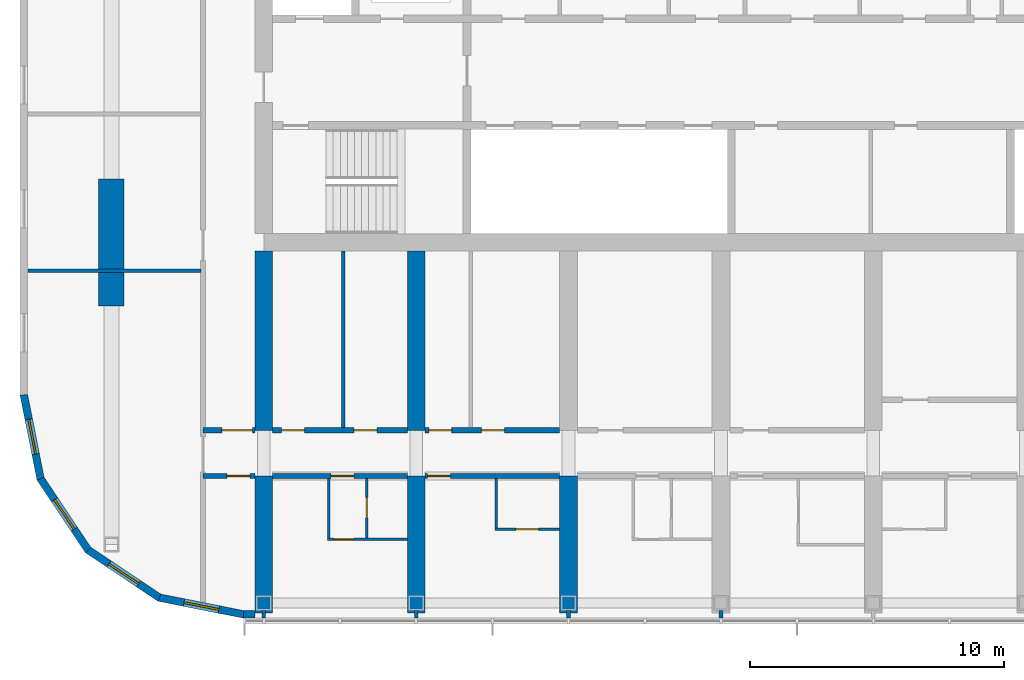
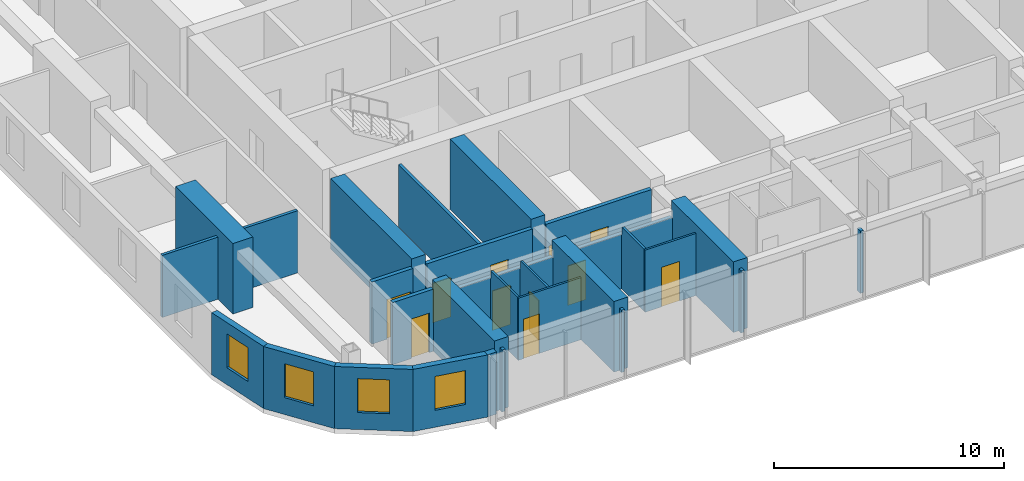
# One storey, part 10 of 23: 28 walls, 11 doors, 4 windows, 15 openings.
"""IFC4 building model written with IfcOpenShell, lengths in metres."""

import ifcopenshell
import ifcopenshell.guid

model = None  # the IFC model being written
_history = None  # IfcOwnerHistory: only IFC2X3 demands one
_inside = {}  # id of a spatial element -> (the spatial element, [elements in it])
_under = {}  # id of a project, library or spatial element -> (it, [spatial elements below it])
_declared = {}  # id of a project -> (the project, [libraries it declares])
_typed = {}  # id of a type object -> (the type object, [elements of that type])
_made_of = {}  # id of a material, layer set ... -> (it, [elements and type objects made of it])


def new_model(schema):
    """Start an empty IFC model of exactly this schema.

    Asked for "IFC4X3", IfcOpenShell would pick the latest addendum, in which some entities
    have other attributes; the version numbers below select the first issue.
    IFC2X3 requires an IfcOwnerHistory on every rooted entity: one is made here for all.
    """
    global model, _history
    if schema == "IFC4X3":
        model = ifcopenshell.file(schema_version=(4, 3, 0, 0))
    else:
        model = ifcopenshell.file(schema=schema)
    _inside.clear()
    _under.clear()
    _declared.clear()
    _typed.clear()
    _made_of.clear()
    _history = None
    if model.schema == "IFC2X3":
        org = make("IfcOrganization", Name="unknown")
        user = make(
            "IfcPersonAndOrganization",
            ThePerson=make("IfcPerson", FamilyName="unknown"),
            TheOrganization=org,
        )
        app = make(
            "IfcApplication",
            ApplicationDeveloper=org,
            Version="unknown",
            ApplicationFullName="unknown",
            ApplicationIdentifier="unknown",
        )
        _history = make(
            "IfcOwnerHistory",
            OwningUser=user,
            OwningApplication=app,
            ChangeAction="ADDED",
            CreationDate=0,
        )
    return model


def make(cls, **values):
    """One entity of the class cls with the attributes given. An attribute that is None is left unset."""
    return model.create_entity(
        cls, **{name: value for name, value in values.items() if value is not None}
    )


def rooted(cls, **values):
    """An entity with a GlobalId (a new one), such as an element, a storey or a relation."""
    return make(cls, GlobalId=ifcopenshell.guid.new(), OwnerHistory=_history, **values)


def si_unit(unit_type, name, prefix=None):
    """IfcSIUnit, for example si_unit("LENGTHUNIT", "METRE", prefix="MILLI")."""
    return make("IfcSIUnit", UnitType=unit_type, Prefix=prefix, Name=name)


def assignment(units):
    """IfcUnitAssignment: the units of a project."""
    return None if units is None else make("IfcUnitAssignment", Units=units)


def point(xyz):
    """IfcCartesianPoint."""
    return None if xyz is None else make("IfcCartesianPoint", Coordinates=xyz)


def direction(xyz):
    """IfcDirection."""
    return None if xyz is None else make("IfcDirection", DirectionRatios=xyz)


def frame(location, z_axis=None, x_axis=None):
    """IfcAxis2Placement3D, a coordinate frame: its origin and axes. An axis left out is left unset."""
    return make(
        "IfcAxis2Placement3D",
        Location=point(location),
        Axis=direction(z_axis),
        RefDirection=direction(x_axis),
    )


def frame_2d(location, x_axis=None):
    """IfcAxis2Placement2D, a coordinate frame in the plane: its origin and x axis."""
    return make(
        "IfcAxis2Placement2D", Location=point(location), RefDirection=direction(x_axis)
    )


def origin():
    """The frame at (0, 0, 0) with its axes left unset."""
    return frame((0.0, 0.0, 0.0))


def place(relative_to, where):
    """IfcLocalPlacement: puts the frame where relative to a parent placement (None: the world)."""
    return make(
        "IfcLocalPlacement", PlacementRelTo=relative_to, RelativePlacement=where
    )


def context(
    kind, dimensions, precision=None, world=None, true_north=None, identifier=None
):
    """IfcGeometricRepresentationContext, for example the 3D "Model" context."""
    return make(
        "IfcGeometricRepresentationContext",
        ContextIdentifier=identifier,
        ContextType=kind,
        CoordinateSpaceDimension=dimensions,
        Precision=precision,
        WorldCoordinateSystem=world,
        TrueNorth=true_north,
    )


def subcontext(parent, identifier, kind, view, scale=None):
    """IfcGeometricRepresentationSubContext, for example "Body" below "Model"."""
    return make(
        "IfcGeometricRepresentationSubContext",
        ContextIdentifier=identifier,
        ContextType=kind,
        ParentContext=parent,
        TargetScale=scale,
        TargetView=view,
    )


def project(units=None, contexts=None):
    """IfcProject with its units and contexts."""
    return rooted(
        "IfcProject",
        Name="project",
        RepresentationContexts=contexts,
        UnitsInContext=assignment(units),
    )


def spatial(cls, under=None, at=None, **own):
    """A site, building, storey or space (cls), placed at a placement, below another one or the project."""
    s = rooted(cls, ObjectPlacement=at, **own)
    if under is not None:
        _under.setdefault(under.id(), (under, []))[1].append(s)
    return s


def polyline(points):
    """IfcPolyline through the points."""
    return make("IfcPolyline", Points=[point(p) for p in points])


def profile(cls, at=None, kind="AREA", **sizes):
    """A parametric profile (cls). Its sizes go by their IFC names, for example OverallWidth=200.0."""
    return make(cls, ProfileType=kind, Position=at, **sizes)


def rectangle(**sizes):
    """IfcRectangleProfileDef."""
    return profile("IfcRectangleProfileDef", **sizes)


def outline(outer, holes=None, kind="AREA"):
    """IfcArbitraryClosedProfileDef: a profile drawn as a closed curve; with holes, ...WithVoids."""
    if holes is None:
        return make("IfcArbitraryClosedProfileDef", ProfileType=kind, OuterCurve=outer)
    return make(
        "IfcArbitraryProfileDefWithVoids",
        ProfileType=kind,
        OuterCurve=outer,
        InnerCurves=holes,
    )


def extrude(swept, where, along, depth):
    """IfcExtrudedAreaSolid: the profile swept, set in the frame where, extruded along a direction by depth."""
    return make(
        "IfcExtrudedAreaSolid",
        SweptArea=swept,
        Position=where,
        ExtrudedDirection=direction(along),
        Depth=depth,
    )


def shape(context_of_items, identifier, shape_type, items):
    """IfcShapeRepresentation: the items that make up one representation, for example the "Body"."""
    return make(
        "IfcShapeRepresentation",
        ContextOfItems=context_of_items,
        RepresentationIdentifier=identifier,
        RepresentationType=shape_type,
        Items=items,
    )


def material(Name=None, Category=None):
    """IfcMaterial."""
    return make("IfcMaterial", Name=Name, Category=Category)


def layer(
    of_material, thickness, ventilated=None, Name=None, Category=None, Priority=None
):
    """IfcMaterialLayer: one layer of a wall or slab, of a material (None: an air gap)."""
    return make(
        "IfcMaterialLayer",
        Material=of_material,
        LayerThickness=thickness,
        IsVentilated=ventilated,
        Name=Name,
        Category=Category,
        Priority=Priority,
    )


def layer_set(layers, Name=None):
    """IfcMaterialLayerSet."""
    return make("IfcMaterialLayerSet", MaterialLayers=layers, LayerSetName=Name)


def made_of(thing, what):
    """Note that an element or type object is made of a material, layer set ...; save() writes the relation."""
    if what is not None:
        _made_of.setdefault(what.id(), (what, []))[1].append(thing)
    return thing


def type_object(cls, material=None, **own):
    """A type object (cls), such as IfcWallType, which elements share."""
    return made_of(rooted(cls, **own), material)


def element(
    cls,
    number,
    at=None,
    inside=None,
    cuts=None,
    type_object=None,
    material=None,
    context=None,
    identifier="Body",
    shape_type=None,
    held_by="IfcProductDefinitionShape",
    body=None,
    shapes=None,
    **own,
):
    """One element of the class cls, such as IfcWall. Its Tag is "e" and its number.

    at: its placement. inside: the storey or other place that contains it. cuts: it is an
    opening in that element (IfcRelVoidsElement). A single representation is given by context,
    identifier, shape_type and body (its items); several are given by shapes. held_by: the class
    of the entity that holds the representations. save() writes the other relations.
    """
    e = rooted(cls, Tag="e%d" % number, ObjectPlacement=at, **own)
    if body is not None:
        shapes = [shape(context, identifier, shape_type, body)]
    if shapes is not None:
        e.Representation = make(held_by, Representations=shapes)
    if inside is not None:
        _inside.setdefault(inside.id(), (inside, []))[1].append(e)
    if cuts is not None:
        rooted(
            "IfcRelVoidsElement", RelatingBuildingElement=cuts, RelatedOpeningElement=e
        )
    if type_object is not None:
        _typed.setdefault(type_object.id(), (type_object, []))[1].append(e)
    return made_of(e, material)


def fill(opening, filler):
    """IfcRelFillsElement: the door or window that sits in an opening."""
    return rooted(
        "IfcRelFillsElement",
        RelatingOpeningElement=opening,
        RelatedBuildingElement=filler,
    )


def aggregate(whole, parts):
    """IfcRelAggregates: a whole, such as a stair, and the parts it consists of."""
    return rooted("IfcRelAggregates", RelatingObject=whole, RelatedObjects=parts)


def save(model, path):
    """Write the relations noted so far, then the file.

    IfcRelAggregates (storeys below a building ...), IfcRelContainedInSpatialStructure (elements
    in a storey), IfcRelDefinesByType, IfcRelAssociatesMaterial and IfcRelDeclares: one each for
    every whole, place, type object, material and project.
    """
    for whole, parts in _under.values():
        aggregate(whole, parts)
    for where, things in _inside.values():
        rooted(
            "IfcRelContainedInSpatialStructure",
            RelatedElements=things,
            RelatingStructure=where,
        )
    for kind, things in _typed.values():
        rooted("IfcRelDefinesByType", RelatedObjects=things, RelatingType=kind)
    for what, things in _made_of.values():
        rooted("IfcRelAssociatesMaterial", RelatedObjects=things, RelatingMaterial=what)
    for by, libraries in _declared.values():
        rooted("IfcRelDeclares", RelatingContext=by, RelatedDefinitions=libraries)
    model.write(path)


model = new_model("IFC4")

# Units and contexts
model_context = context("Model", 3, precision=1e-05, world=origin(), true_north=direction((0.0, 1.0)))
body_context = subcontext(model_context, "Body", "Model", "MODEL_VIEW")
ifc_project = project(units=[si_unit("LENGTHUNIT", "METRE"), si_unit("AREAUNIT", "SQUARE_METRE"), si_unit("VOLUMEUNIT", "CUBIC_METRE"), si_unit("PLANEANGLEUNIT", "RADIAN"), si_unit("MASSUNIT", "GRAM", prefix="KILO")], contexts=[model_context])

# Site, building, storey
site_placement = place(None, origin())
site = spatial("IfcSite", under=ifc_project, at=site_placement, CompositionType="ELEMENT")
building_placement = place(site_placement, origin())
building = spatial("IfcBuilding", under=site, at=building_placement, Name="Orbita Commons", CompositionType="ELEMENT")
storey_placement = place(building_placement, frame((0.0, 0.0, 227.800048828125)))
storey = spatial("IfcBuildingStorey", under=building, at=storey_placement, Name="L56", CompositionType="ELEMENT", Elevation=227.800048828125)

# Wall, opening, door
ifc_material_1 = material(Name="Concrete blockwork", Category="masonry")
ifc_layer_1 = layer(ifc_material_1, 0.199951171875)
ifc_layer_set_1 = layer_set([ifc_layer_1], Name="Concrete blockwork")
wall_type_1 = type_object("IfcWallType", Name="Corridor wall 200 blockwork", PredefinedType="SOLIDWALL", material=ifc_layer_set_1)
wall_1_placement = place(storey_placement, frame((15.60009765625, 16.60009765625, 0.0), z_axis=(0.0, 0.0, 1.0), x_axis=(1.0, 0.0, 0.0)))
wall_1 = element("IfcWall", 1, at=wall_1_placement, inside=storey, type_object=wall_type_1, Name="Corridor wall 200 blockwork L56", PredefinedType="SOLIDWALL", context=body_context, shape_type="SweptSolid", body=[
    extrude(rectangle(XDim=2.0498046875, YDim=0.199951171875, at=frame_2d((1.02490234375, 0.0))), origin(), (0.0, 0.0, 1.0), 3.300048828125),
])
opening_1_placement = place(wall_1_placement, frame((0.949951171875, 0.0, 0.0)))
opening_1 = element("IfcOpeningElement", 2, at=opening_1_placement, cuts=wall_1, Name="Opening D05", PredefinedType="OPENING", context=body_context, shape_type="SweptSolid", body=[
    extrude(rectangle(XDim=0.89990234375, YDim=2.10009765625, at=frame_2d((0.449951171875, 1.050048828125))), frame((0.0, 0.10986328125, 0.0), z_axis=(0.0, -1.0, 0.0), x_axis=(1.0, 0.0, 0.0)), (0.0, 0.0, 1.0), 0.219970703125),
])
ifc_material_2 = material(Name="Steel-faced fire door leaf", Category="steel")
door_type_1 = type_object("IfcDoorType", Name="Service door 20 min 900x2100", OperationType="SINGLE_SWING_LEFT", PredefinedType="DOOR", material=ifc_material_2)
door_1_placement = place(opening_1_placement, origin())
door_1 = element("IfcDoor", 3, at=door_1_placement, inside=storey, type_object=door_type_1, Name="Linen store L56-KWS door", OperationType="SINGLE_SWING_LEFT", OverallHeight=2.10009765625, OverallWidth=0.89990234375, PredefinedType="DOOR", context=body_context, shape_type="SweptSolid", body=[
    extrude(rectangle(XDim=0.89990234375, YDim=2.10009765625, at=frame_2d((0.449951171875, 1.050048828125))), frame((0.0, 0.02490234375, 0.0), z_axis=(0.0, -1.0, 0.0), x_axis=(1.0, 0.0, 0.0)), (0.0, 0.0, 1.0), 0.050048828125),
])
fill(opening_1, door_1)

wall_2_placement = place(storey_placement, frame((18.35009765625, 16.60009765625, 0.0), z_axis=(0.0, 0.0, 1.0), x_axis=(1.0, 0.0, 0.0)))
wall_2 = element("IfcWall", 4, at=wall_2_placement, inside=storey, type_object=wall_type_1, Name="Corridor wall 200 blockwork L56", PredefinedType="SOLIDWALL", context=body_context, shape_type="SweptSolid", body=[
    extrude(outline(polyline([(0.0, 0.0), (5.2998046875, 0.0), (5.300048828125, 2.89990234375), (0.0, 2.89990234375), (0.0, 0.0)])), frame((0.0, 0.10009765625, 0.0), z_axis=(0.0, -1.0, 0.0), x_axis=(1.0, 0.0, 0.0)), (0.0, 0.0, 1.0), 0.199951171875),
])
opening_2_placement = place(wall_2_placement, frame((2.300048828125, 0.0, 0.0)))
opening_2 = element("IfcOpeningElement", 5, at=opening_2_placement, cuts=wall_2, Name="Opening D11", PredefinedType="OPENING", context=body_context, shape_type="SweptSolid", body=[
    extrude(rectangle(XDim=0.89990234375, YDim=2.10009765625, at=frame_2d((0.449951171875, 1.050048828125))), frame((0.0, 0.10986328125, 0.0), z_axis=(0.0, -1.0, 0.0), x_axis=(1.0, 0.0, 0.0)), (0.0, 0.0, 1.0), 0.219970703125),
])
ifc_material_3 = material(Name="Steel-faced fire door leaf", Category="steel")
door_type_2 = type_object("IfcDoorType", Name="Corridor door 20 min 900x2100", OperationType="SINGLE_SWING_LEFT", PredefinedType="DOOR", material=ifc_material_3)
door_2_placement = place(opening_2_placement, origin())
door_2 = element("IfcDoor", 6, at=door_2_placement, inside=storey, type_object=door_type_2, Name="Studio flat L56-S00 entrance door", OperationType="SINGLE_SWING_LEFT", OverallHeight=2.10009765625, OverallWidth=0.89990234375, PredefinedType="DOOR", context=body_context, shape_type="SweptSolid", body=[
    extrude(rectangle(XDim=0.89990234375, YDim=2.10009765625, at=frame_2d((0.449951171875, 1.050048828125))), frame((0.0, 0.02490234375, 0.0), z_axis=(0.0, -1.0, 0.0), x_axis=(1.0, 0.0, 0.0)), (0.0, 0.0, 1.0), 0.050048828125),
])
fill(opening_2, door_2)

wall_3_placement = place(storey_placement, frame((24.35009765625, 16.60009765625, 0.0), z_axis=(0.0, 0.0, 1.0), x_axis=(1.0, 0.0, 0.0)))
wall_3 = element("IfcWall", 7, at=wall_3_placement, inside=storey, type_object=wall_type_1, Name="Corridor wall 200 blockwork L56", PredefinedType="SOLIDWALL", context=body_context, shape_type="SweptSolid", body=[
    extrude(outline(polyline([(0.0, 0.0), (5.2998046875, 0.0), (5.300048828125, 2.89990234375), (0.0, 2.89990234375), (0.0, 0.0)])), frame((0.0, 0.10009765625, 0.0), z_axis=(0.0, -1.0, 0.0), x_axis=(1.0, 0.0, 0.0)), (0.0, 0.0, 1.0), 0.199951171875),
])
opening_3_placement = place(wall_3_placement, frame((0.10009765625, 0.0, 0.0)))
opening_3 = element("IfcOpeningElement", 8, at=opening_3_placement, cuts=wall_3, Name="Opening D11", PredefinedType="OPENING", context=body_context, shape_type="SweptSolid", body=[
    extrude(rectangle(XDim=0.89990234375, YDim=2.10009765625, at=frame_2d((0.449951171875, 1.050048828125))), frame((0.0, 0.10986328125, 0.0), z_axis=(0.0, -1.0, 0.0), x_axis=(1.0, 0.0, 0.0)), (0.0, 0.0, 1.0), 0.219970703125),
])
door_3_placement = place(opening_3_placement, origin())
door_3 = element("IfcDoor", 9, at=door_3_placement, inside=storey, type_object=door_type_2, Name="Studio apartment with kitchenette L56-S02 door", OperationType="SINGLE_SWING_LEFT", OverallHeight=2.10009765625, OverallWidth=0.89990234375, PredefinedType="DOOR", context=body_context, shape_type="SweptSolid", body=[
    extrude(rectangle(XDim=0.89990234375, YDim=2.10009765625, at=frame_2d((0.449951171875, 1.050048828125))), frame((0.0, 0.02490234375, 0.0), z_axis=(0.0, -1.0, 0.0), x_axis=(1.0, 0.0, 0.0)), (0.0, 0.0, 1.0), 0.050048828125),
])
fill(opening_3, door_3)

ifc_material_4 = material(Name="Hollow concrete block 200", Category="concrete")
ifc_layer_2 = layer(ifc_material_4, 0.199951171875)
ifc_layer_set_2 = layer_set([ifc_layer_2], Name="Hollow concrete block 200")
wall_type_2 = type_object("IfcWallType", Name="Corridor wall 200 hollow concrete block", PredefinedType="SOLIDWALL", material=ifc_layer_set_2)
wall_4_placement = place(storey_placement, frame((15.60009765625, 18.39990234375, 0.0), z_axis=(0.0, 0.0, 1.0), x_axis=(1.0, 0.0, 0.0)))
wall_4 = element("IfcWall", 10, at=wall_4_placement, inside=storey, type_object=wall_type_2, Name="Corridor wall 200 hollow concrete block L56", PredefinedType="SOLIDWALL", context=body_context, shape_type="SweptSolid", body=[
    extrude(rectangle(XDim=2.0498046875, YDim=0.199951171875, at=frame_2d((1.02490234375, 0.0))), origin(), (0.0, 0.0, 1.0), 3.300048828125),
])
opening_4_placement = place(wall_4_placement, frame((0.75, 0.0, 0.0)))
opening_4 = element("IfcOpeningElement", 11, at=opening_4_placement, cuts=wall_4, Name="Opening D12", PredefinedType="OPENING", context=body_context, shape_type="SweptSolid", body=[
    extrude(rectangle(XDim=1.199951171875, YDim=2.10009765625, at=frame_2d((0.60009765625, 1.050048828125))), frame((0.0, 0.10986328125, 0.0), z_axis=(0.0, -1.0, 0.0), x_axis=(1.0, 0.0, 0.0)), (0.0, 0.0, 1.0), 0.219970703125),
])
ifc_material_5 = material(Name="Steel-faced fire door leaf", Category="steel")
door_type_3 = type_object("IfcDoorType", Name="Double corridor door 20 min 1200x2100", OperationType="DOUBLE_DOOR_SINGLE_SWING", PredefinedType="DOOR", material=ifc_material_5)
door_4_placement = place(opening_4_placement, origin())
door_4 = element("IfcDoor", 12, at=door_4_placement, inside=storey, type_object=door_type_3, Name="Cross corridor doors", OperationType="DOUBLE_DOOR_SINGLE_SWING", OverallHeight=2.10009765625, OverallWidth=1.199951171875, PredefinedType="DOOR", context=body_context, shape_type="SweptSolid", body=[
    extrude(rectangle(XDim=1.199951171875, YDim=2.10009765625, at=frame_2d((0.60009765625, 1.050048828125))), frame((0.0, 0.02490234375, 0.0), z_axis=(0.0, -1.0, 0.0), x_axis=(1.0, 0.0, 0.0)), (0.0, 0.0, 1.0), 0.050048828125),
])
fill(opening_4, door_4)

# Wall, openings, doors
wall_5_placement = place(storey_placement, frame((18.35009765625, 18.39990234375, 0.0), z_axis=(0.0, 0.0, 1.0), x_axis=(1.0, 0.0, 0.0)))
wall_5 = element("IfcWall", 13, at=wall_5_placement, inside=storey, type_object=wall_type_2, Name="Corridor wall 200 hollow concrete block L56", PredefinedType="SOLIDWALL", context=body_context, shape_type="SweptSolid", body=[
    extrude(rectangle(XDim=5.2998046875, YDim=0.199951171875, at=frame_2d((2.64990234375, 0.0))), origin(), (0.0, 0.0, 1.0), 3.300048828125),
])
opening_5_placement = place(wall_5_placement, frame((0.35009765625, 0.0, 0.0)))
opening_5 = element("IfcOpeningElement", 14, at=opening_5_placement, cuts=wall_5, Name="Opening D11", PredefinedType="OPENING", context=body_context, shape_type="SweptSolid", body=[
    extrude(rectangle(XDim=0.89990234375, YDim=2.10009765625, at=frame_2d((0.449951171875, 1.050048828125))), frame((0.0, 0.10986328125, 0.0), z_axis=(0.0, -1.0, 0.0), x_axis=(1.0, 0.0, 0.0)), (0.0, 0.0, 1.0), 0.219970703125),
])
opening_6_placement = place(wall_5_placement, frame((3.199951171875, 0.0, 0.0)))
opening_6 = element("IfcOpeningElement", 15, at=opening_6_placement, cuts=wall_5, Name="Opening D11", PredefinedType="OPENING", context=body_context, shape_type="SweptSolid", body=[
    extrude(rectangle(XDim=0.89990234375, YDim=2.10009765625, at=frame_2d((0.449951171875, 1.050048828125))), frame((0.0, 0.10986328125, 0.0), z_axis=(0.0, -1.0, 0.0), x_axis=(1.0, 0.0, 0.0)), (0.0, 0.0, 1.0), 0.219970703125),
])
door_5_placement = place(opening_5_placement, origin())
door_5 = element("IfcDoor", 16, at=door_5_placement, inside=storey, type_object=door_type_2, Name="Board room L56-BDS18 door", OperationType="SINGLE_SWING_LEFT", OverallHeight=2.10009765625, OverallWidth=0.89990234375, PredefinedType="DOOR", context=body_context, shape_type="SweptSolid", body=[
    extrude(rectangle(XDim=0.89990234375, YDim=2.10009765625, at=frame_2d((0.449951171875, 1.050048828125))), frame((0.0, 0.02490234375, 0.0), z_axis=(0.0, -1.0, 0.0), x_axis=(1.0, 0.0, 0.0)), (0.0, 0.0, 1.0), 0.050048828125),
])
fill(opening_5, door_5)
door_6_placement = place(opening_6_placement, origin())
door_6 = element("IfcDoor", 17, at=door_6_placement, inside=storey, type_object=door_type_2, Name="Accessible WC and shower room L56-BDS18n door", OperationType="SINGLE_SWING_LEFT", OverallHeight=2.10009765625, OverallWidth=0.89990234375, PredefinedType="DOOR", context=body_context, shape_type="SweptSolid", body=[
    extrude(rectangle(XDim=0.89990234375, YDim=2.10009765625, at=frame_2d((0.449951171875, 1.050048828125))), frame((0.0, 0.02490234375, 0.0), z_axis=(0.0, -1.0, 0.0), x_axis=(1.0, 0.0, 0.0)), (0.0, 0.0, 1.0), 0.050048828125),
])
fill(opening_6, door_6)

wall_6_placement = place(storey_placement, frame((24.35009765625, 18.39990234375, 0.0), z_axis=(0.0, 0.0, 1.0), x_axis=(1.0, 0.0, 0.0)))
wall_6 = element("IfcWall", 18, at=wall_6_placement, inside=storey, type_object=wall_type_2, Name="Corridor wall 200 hollow concrete block L56", PredefinedType="SOLIDWALL", context=body_context, shape_type="SweptSolid", body=[
    extrude(rectangle(XDim=5.2998046875, YDim=0.199951171875, at=frame_2d((2.64990234375, 0.0))), origin(), (0.0, 0.0, 1.0), 3.300048828125),
])
opening_7_placement = place(wall_6_placement, frame((0.14990234375, 0.0, 0.0)))
opening_7 = element("IfcOpeningElement", 19, at=opening_7_placement, cuts=wall_6, Name="Opening D11", PredefinedType="OPENING", context=body_context, shape_type="SweptSolid", body=[
    extrude(rectangle(XDim=0.89990234375, YDim=2.10009765625, at=frame_2d((0.449951171875, 1.050048828125))), frame((0.0, 0.10986328125, 0.0), z_axis=(0.0, -1.0, 0.0), x_axis=(1.0, 0.0, 0.0)), (0.0, 0.0, 1.0), 0.219970703125),
])
opening_8_placement = place(wall_6_placement, frame((2.219970703125, 0.0, 0.0)))
opening_8 = element("IfcOpeningElement", 20, at=opening_8_placement, cuts=wall_6, Name="Opening D11", PredefinedType="OPENING", context=body_context, shape_type="SweptSolid", body=[
    extrude(rectangle(XDim=0.89990234375, YDim=2.10009765625, at=frame_2d((0.449951171875, 1.050048828125))), frame((0.0, 0.10986328125, 0.0), z_axis=(0.0, -1.0, 0.0), x_axis=(1.0, 0.0, 0.0)), (0.0, 0.0, 1.0), 0.219970703125),
])
door_7_placement = place(opening_7_placement, origin())
door_7 = element("IfcDoor", 21, at=door_7_placement, inside=storey, type_object=door_type_2, Name="Battery and UPS room L56-BDS24n door", OperationType="SINGLE_SWING_LEFT", OverallHeight=2.10009765625, OverallWidth=0.89990234375, PredefinedType="DOOR", context=body_context, shape_type="SweptSolid", body=[
    extrude(rectangle(XDim=0.89990234375, YDim=2.10009765625, at=frame_2d((0.449951171875, 1.050048828125))), frame((0.0, 0.02490234375, 0.0), z_axis=(0.0, -1.0, 0.0), x_axis=(1.0, 0.0, 0.0)), (0.0, 0.0, 1.0), 0.050048828125),
])
fill(opening_7, door_7)
door_8_placement = place(opening_8_placement, origin())
door_8 = element("IfcDoor", 22, at=door_8_placement, inside=storey, type_object=door_type_2, Name="Interview room L56-BDS24 door", OperationType="SINGLE_SWING_LEFT", OverallHeight=2.10009765625, OverallWidth=0.89990234375, PredefinedType="DOOR", context=body_context, shape_type="SweptSolid", body=[
    extrude(rectangle(XDim=0.89990234375, YDim=2.10009765625, at=frame_2d((0.449951171875, 1.050048828125))), frame((0.0, 0.02490234375, 0.0), z_axis=(0.0, -1.0, 0.0), x_axis=(1.0, 0.0, 0.0)), (0.0, 0.0, 1.0), 0.050048828125),
])
fill(opening_8, door_8)

# Walls
ifc_material_6 = material(Name="Concrete C50/60", Category="concrete")
ifc_layer_3 = layer(ifc_material_6, 0.699951171875)
ifc_layer_set_3 = layer_set([ifc_layer_3], Name="Concrete C50/60")
wall_type_3 = type_object("IfcWallType", Name="Cross wall 700 C50/60", PredefinedType="SHEAR", material=ifc_layer_set_3)
wall_7_placement = place(storey_placement, frame((18.0, 11.199951171875, 0.0), z_axis=(0.0, 0.0, 1.0), x_axis=(0.0, 1.0, 0.0)))
element("IfcWall", 23, at=wall_7_placement, inside=storey, type_object=wall_type_3, Name="Cross wall 4 south outer L56", PredefinedType="SHEAR", context=body_context, shape_type="SweptSolid", body=[
    extrude(rectangle(XDim=5.400146484375, YDim=0.699951171875, at=frame_2d((2.7001953125, 0.0))), origin(), (0.0, 0.0, 1.0), 3.75),
])
wall_8_placement = place(storey_placement, frame((18.0, 18.39990234375, 0.0), z_axis=(0.0, 0.0, 1.0), x_axis=(0.0, 1.0, 0.0)))
element("IfcWall", 24, at=wall_8_placement, inside=storey, type_object=wall_type_3, Name="Cross wall 4 south inner L56", PredefinedType="SHEAR", context=body_context, shape_type="SweptSolid", body=[
    extrude(rectangle(XDim=7.050048828125, YDim=0.699951171875, at=frame_2d((3.52490234375, 0.0))), origin(), (0.0, 0.0, 1.0), 3.75),
])
wall_9_placement = place(storey_placement, frame((24.0, 11.199951171875, 0.0), z_axis=(0.0, 0.0, 1.0), x_axis=(0.0, 1.0, 0.0)))
element("IfcWall", 25, at=wall_9_placement, inside=storey, type_object=wall_type_3, Name="Cross wall 5 south outer L56", PredefinedType="SHEAR", context=body_context, shape_type="SweptSolid", body=[
    extrude(rectangle(XDim=5.400146484375, YDim=0.699951171875, at=frame_2d((2.7001953125, 0.0))), origin(), (0.0, 0.0, 1.0), 3.75),
])
wall_10_placement = place(storey_placement, frame((24.0, 18.39990234375, 0.0), z_axis=(0.0, 0.0, 1.0), x_axis=(0.0, 1.0, 0.0)))
element("IfcWall", 26, at=wall_10_placement, inside=storey, type_object=wall_type_3, Name="Cross wall 5 south inner L56", PredefinedType="SHEAR", context=body_context, shape_type="SweptSolid", body=[
    extrude(rectangle(XDim=7.050048828125, YDim=0.699951171875, at=frame_2d((3.52490234375, 0.0))), origin(), (0.0, 0.0, 1.0), 3.75),
])
wall_11_placement = place(storey_placement, frame((30.0, 11.199951171875, 0.0), z_axis=(0.0, 0.0, 1.0), x_axis=(0.0, 1.0, 0.0)))
element("IfcWall", 27, at=wall_11_placement, inside=storey, type_object=wall_type_3, Name="Cross wall 6 south outer L56", PredefinedType="SHEAR", context=body_context, shape_type="SweptSolid", body=[
    extrude(rectangle(XDim=5.400146484375, YDim=0.699951171875, at=frame_2d((2.7001953125, 0.0))), origin(), (0.0, 0.0, 1.0), 3.75),
])

# Wall, opening, door
ifc_material_7 = material(Name="Moisture-resistant plasterboard on steel studs", Category="steel")
ifc_layer_4 = layer(ifc_material_7, 0.10009765625)
ifc_layer_set_4 = layer_set([ifc_layer_4], Name="Moisture-resistant plasterboard on steel studs")
wall_type_4 = type_object("IfcWallType", Name="En-suite partition 100", PredefinedType="PARTITIONING", material=ifc_layer_set_4)
wall_12_placement = place(storey_placement, frame((23.64990234375, 14.10009765625, 0.0), z_axis=(0.0, 0.0, 1.0), x_axis=(-1.0, 0.0, 0.0)))
wall_12 = element("IfcWall", 28, at=wall_12_placement, inside=storey, type_object=wall_type_4, Name="En-suite partition 100 L56", PredefinedType="PARTITIONING", context=body_context, shape_type="SweptSolid", body=[
    extrude(rectangle(XDim=3.14990234375, YDim=0.10009765625, at=frame_2d((1.574951171875, 0.0))), origin(), (0.0, 0.0, 1.0), 3.300048828125),
])
opening_9_placement = place(wall_12_placement, frame((2.10009765625, 0.0, 0.0)))
opening_9 = element("IfcOpeningElement", 29, at=opening_9_placement, cuts=wall_12, Name="Opening D16", PredefinedType="OPENING", context=body_context, shape_type="SweptSolid", body=[
    extrude(rectangle(XDim=0.800048828125, YDim=2.10009765625, at=frame_2d((0.39990234375, 1.050048828125))), frame((0.0, 0.06005859375, 0.0), z_axis=(0.0, -1.0, 0.0), x_axis=(1.0, 0.0, 0.0)), (0.0, 0.0, 1.0), 0.1201171875),
])
ifc_material_8 = material(Name="Laminated timber door leaf", Category="wood")
door_type_4 = type_object("IfcDoorType", Name="En-suite door 800x2100", OperationType="SINGLE_SWING_RIGHT", PredefinedType="DOOR", material=ifc_material_8)
door_9_placement = place(opening_9_placement, origin())
door_9 = element("IfcDoor", 30, at=door_9_placement, inside=storey, type_object=door_type_4, Name="Studio flat L56-S00 door", OperationType="SINGLE_SWING_RIGHT", OverallHeight=2.10009765625, OverallWidth=0.800048828125, PredefinedType="DOOR", context=body_context, shape_type="SweptSolid", body=[
    extrude(rectangle(XDim=0.800048828125, YDim=2.10009765625, at=frame_2d((0.39990234375, 1.050048828125))), frame((0.0, 0.02490234375, 0.0), z_axis=(0.0, -1.0, 0.0), x_axis=(1.0, 0.0, 0.0)), (0.0, 0.0, 1.0), 0.050048828125),
])
fill(opening_9, door_9)

# Wall
wall_13_placement = place(storey_placement, frame((20.550048828125, 14.14990234375, 0.0), z_axis=(0.0, 0.0, 1.0), x_axis=(0.0, 1.0, 0.0)))
element("IfcWall", 31, at=wall_13_placement, inside=storey, type_object=wall_type_4, Name="En-suite partition 100 L56", PredefinedType="PARTITIONING", context=body_context, shape_type="SweptSolid", body=[
    extrude(outline(polyline([(0.0, 0.0), (2.35009765625, 0.0), (2.35009765625, 2.89990234375), (2.302001953125, 2.89990234375), (2.300048828125, 3.300048828125), (0.0, 3.300048828125), (0.0, 0.0)])), frame((0.0, 0.050048828125, 0.0), z_axis=(0.0, -1.0, 0.0), x_axis=(1.0, 0.0, 0.0)), (0.0, 0.0, 1.0), 0.10009765625),
])

# Wall, opening, door
wall_14_placement = place(storey_placement, frame((22.050048828125, 14.14990234375, 0.0), z_axis=(0.0, 0.0, 1.0), x_axis=(0.0, 1.0, 0.0)))
wall_14 = element("IfcWall", 32, at=wall_14_placement, inside=storey, type_object=wall_type_4, Name="En-suite partition 100 L56", PredefinedType="PARTITIONING", context=body_context, shape_type="SweptSolid", body=[
    extrude(outline(polyline([(0.0, 0.0), (2.35009765625, 0.0), (2.35009765625, 2.89990234375), (2.302001953125, 2.89990234375), (2.300048828125, 3.300048828125), (0.0, 3.300048828125), (0.0, 0.0)])), frame((0.0, 0.050048828125, 0.0), z_axis=(0.0, -1.0, 0.0), x_axis=(1.0, 0.0, 0.0)), (0.0, 0.0, 1.0), 0.10009765625),
])
opening_10_placement = place(wall_14_placement, frame((0.800048828125, 0.0, 0.0)))
opening_10 = element("IfcOpeningElement", 33, at=opening_10_placement, cuts=wall_14, Name="Opening D16", PredefinedType="OPENING", context=body_context, shape_type="SweptSolid", body=[
    extrude(rectangle(XDim=0.800048828125, YDim=2.10009765625, at=frame_2d((0.39990234375, 1.050048828125))), frame((0.0, 0.06005859375, 0.0), z_axis=(0.0, -1.0, 0.0), x_axis=(1.0, 0.0, 0.0)), (0.0, 0.0, 1.0), 0.1201171875),
])
door_10_placement = place(opening_10_placement, origin())
door_10 = element("IfcDoor", 34, at=door_10_placement, inside=storey, type_object=door_type_4, Name="Studio flat shower room L56-S00 door", OperationType="SINGLE_SWING_RIGHT", OverallHeight=2.10009765625, OverallWidth=0.800048828125, PredefinedType="DOOR", context=body_context, shape_type="SweptSolid", body=[
    extrude(rectangle(XDim=0.800048828125, YDim=2.10009765625, at=frame_2d((0.39990234375, 1.050048828125))), frame((0.0, 0.02490234375, 0.0), z_axis=(0.0, -1.0, 0.0), x_axis=(1.0, 0.0, 0.0)), (0.0, 0.0, 1.0), 0.050048828125),
])
fill(opening_10, door_10)

wall_15_placement = place(storey_placement, frame((29.64990234375, 14.5, 0.0), z_axis=(0.0, 0.0, 1.0), x_axis=(-1.0, 0.0, 0.0)))
wall_15 = element("IfcWall", 35, at=wall_15_placement, inside=storey, type_object=wall_type_4, Name="En-suite partition 100 L56", PredefinedType="PARTITIONING", context=body_context, shape_type="SweptSolid", body=[
    extrude(rectangle(XDim=2.5498046875, YDim=0.10009765625, at=frame_2d((1.27490234375, 0.0))), origin(), (0.0, 0.0, 1.0), 3.300048828125),
])
opening_11_placement = place(wall_15_placement, frame((0.824951171875, 0.0, 0.0)))
opening_11 = element("IfcOpeningElement", 36, at=opening_11_placement, cuts=wall_15, Name="Opening D09", PredefinedType="OPENING", context=body_context, shape_type="SweptSolid", body=[
    extrude(rectangle(XDim=0.89990234375, YDim=2.10009765625, at=frame_2d((0.449951171875, 1.050048828125))), frame((0.0, 0.06005859375, 0.0), z_axis=(0.0, -1.0, 0.0), x_axis=(1.0, 0.0, 0.0)), (0.0, 0.0, 1.0), 0.1201171875),
])
ifc_material_9 = material(Name="Laminated timber door leaf", Category="wood")
door_type_5 = type_object("IfcDoorType", Name="En-suite door 900x2100", OperationType="SINGLE_SWING_RIGHT", PredefinedType="DOOR", material=ifc_material_9)
door_11_placement = place(opening_11_placement, origin())
door_11 = element("IfcDoor", 37, at=door_11_placement, inside=storey, type_object=door_type_5, Name="En-suite L56-S02 door", OperationType="SINGLE_SWING_RIGHT", OverallHeight=2.10009765625, OverallWidth=0.89990234375, PredefinedType="DOOR", context=body_context, shape_type="SweptSolid", body=[
    extrude(rectangle(XDim=0.89990234375, YDim=2.10009765625, at=frame_2d((0.449951171875, 1.050048828125))), frame((0.0, 0.02490234375, 0.0), z_axis=(0.0, -1.0, 0.0), x_axis=(1.0, 0.0, 0.0)), (0.0, 0.0, 1.0), 0.050048828125),
])
fill(opening_11, door_11)

# Walls
wall_16_placement = place(storey_placement, frame((27.14990234375, 14.550048828125, 0.0), z_axis=(0.0, 0.0, 1.0), x_axis=(0.0, 1.0, 0.0)))
element("IfcWall", 38, at=wall_16_placement, inside=storey, type_object=wall_type_4, Name="En-suite partition 100 L56", PredefinedType="PARTITIONING", context=body_context, shape_type="SweptSolid", body=[
    extrude(outline(polyline([(0.0, 0.0), (1.949951171875, 0.0), (1.949951171875, 2.89990234375), (1.902099609375, 2.89990234375), (1.89990234375, 3.300048828125), (0.0, 3.300048828125), (0.0, 0.0)])), frame((0.0, 0.050048828125, 0.0), z_axis=(0.0, -1.0, 0.0), x_axis=(1.0, 0.0, 0.0)), (0.0, 0.0, 1.0), 0.10009765625),
])
ifc_material_10 = material(Name="Concrete C50/60", Category="concrete")
ifc_layer_5 = layer(ifc_material_10, 1.0)
ifc_layer_set_5 = layer_set([ifc_layer_5], Name="Concrete C50/60")
wall_type_5 = type_object("IfcWallType", Name="End pier 1000x5000 C50/60", PredefinedType="SHEAR", material=ifc_layer_set_5)
wall_17_placement = place(storey_placement, frame((12.0, 23.300048828125, 0.0), z_axis=(0.0, 0.0, 1.0), x_axis=(0.0, 1.0, 0.0)))
element("IfcWall", 39, at=wall_17_placement, inside=storey, type_object=wall_type_5, Name="End pier 3/C L56", PredefinedType="SHEAR", context=body_context, shape_type="SweptSolid", body=[
    extrude(rectangle(XDim=5.0, YDim=1.0, at=frame_2d((2.5, 0.0))), origin(), (0.0, 0.0, 1.0), 3.75),
])
ifc_material_11 = material(Name="Gypsum plasterboard on steel studs", Category="steel")
ifc_layer_6 = layer(ifc_material_11, 0.14990234375)
ifc_layer_set_6 = layer_set([ifc_layer_6], Name="Gypsum plasterboard on steel studs")
wall_type_6 = type_object("IfcWallType", Name="Partition 150 plasterboard", PredefinedType="PARTITIONING", material=ifc_layer_set_6)
wall_18_placement = place(storey_placement, frame((21.125, 18.5, 0.0), z_axis=(0.0, 0.0, 1.0), x_axis=(0.0, 1.0, 0.0)))
element("IfcWall", 40, at=wall_18_placement, inside=storey, type_object=wall_type_6, Name="Partition 150 plasterboard L56", PredefinedType="PARTITIONING", context=body_context, shape_type="SweptSolid", body=[
    extrude(rectangle(XDim=6.949951171875, YDim=0.14990234375, at=frame_2d((3.47509765625, 0.0))), origin(), (0.0, 0.0, 1.0), 3.300048828125),
])
wall_19_placement = place(storey_placement, frame((8.705078125, 24.679931640625, 0.0), z_axis=(0.0, 0.0, 1.0), x_axis=(1.0, 0.0, 0.0)))
element("IfcWall", 41, at=wall_19_placement, inside=storey, type_object=wall_type_6, Name="Partition 150 plasterboard L56", PredefinedType="PARTITIONING", context=body_context, shape_type="SweptSolid", body=[
    extrude(rectangle(XDim=6.81982421875, YDim=0.14990234375, at=frame_2d((3.409912109375, 0.0))), origin(), (0.0, 0.0, 1.0), 3.300048828125),
])
for number, where, z_axis, x_axis, name in (
    (42, (18.0, 11.300048828125, 0.0), (0.0, 0.0, 1.0), (0.0, -1.0, 0.0), "Partition 150 plasterboard L56"),
    (43, (24.0, 11.300048828125, 0.0), (0.0, 0.0, 1.0), (0.0, -1.0, 0.0), "Partition 150 plasterboard L56"),
    (44, (30.0, 11.300048828125, 0.0), (0.0, 0.0, 1.0), (0.0, -1.0, 0.0), "Partition 150 plasterboard L56"),
    (45, (36.0, 11.300048828125, 0.0), (0.0, 0.0, 1.0), (0.0, -1.0, 0.0), "Partition 150 plasterboard L56"),
):
    element("IfcWall", number, at=place(storey_placement, frame(where, z_axis=z_axis, x_axis=x_axis)), inside=storey, type_object=wall_type_6, Name=name, PredefinedType="PARTITIONING", context=body_context, shape_type="SweptSolid", body=[
        extrude(rectangle(XDim=0.2900390625, YDim=0.14990234375, at=frame_2d((0.14501953125, 0.0))), origin(), (0.0, 0.0, 1.0), 3.300048828125),
    ])

# Wall, opening, window
ifc_material_12 = material(Name="Precast concrete C40/50, white board-marked finish", Category="concrete")
ifc_layer_7 = layer(ifc_material_12, 0.300048828125)
ifc_layer_set_7 = layer_set([ifc_layer_7], Name="Precast concrete C40/50, white board-marked finish")
wall_type_7 = type_object("IfcWallType", Name="Precast concrete end shield 300", PredefinedType="SOLIDWALL", material=ifc_layer_set_7)
wall_20_placement = place(storey_placement, frame((8.550048828125, 19.800048828125, 0.0), z_axis=(0.0, 0.0, 1.0), x_axis=(0.19508664885, -0.980786011034, 0.0)))
wall_20 = element("IfcWall", 46, at=wall_20_placement, inside=storey, type_object=wall_type_7, Name="End shield SW chord 1 L56", PredefinedType="SOLIDWALL", context=body_context, shape_type="SweptSolid", body=[
    extrude(outline(polyline([(-0.014892578125, -0.14990234375), (3.405029296875, -0.14990234375), (3.345458984375, 0.14990234375), (0.014892578125, 0.14990234375), (-0.014892578125, -0.14990234375)])), origin(), (0.0, 0.0, 1.0), 3.300048828125),
])
opening_12_placement = place(wall_20_placement, frame((0.987548828125, 0.0, 0.89990234375)))
opening_12 = element("IfcOpeningElement", 47, at=opening_12_placement, cuts=wall_20, Name="Opening W02", PredefinedType="OPENING", context=body_context, shape_type="SweptSolid", body=[
    extrude(rectangle(XDim=1.39990234375, YDim=1.800048828125, at=frame_2d((0.699951171875, 0.89990234375))), frame((0.0, 0.159912109375, 0.0), z_axis=(0.0, -1.0, 0.0), x_axis=(1.0, 0.0, 0.0)), (0.0, 0.0, 1.0), 0.320068359375),
])
ifc_material_13 = material(Name="Aluminium frame, clear double glazing", Category="aluminium")
window_type = type_object("IfcWindowType", Name="Deep-set window 1400x1800", PartitioningType="SINGLE_PANEL", PredefinedType="WINDOW", material=ifc_material_13)
window_1_placement = place(opening_12_placement, origin())
window_1 = element("IfcWindow", 48, at=window_1_placement, inside=storey, type_object=window_type, Name="Window L56-SW0", OverallHeight=1.800048828125, OverallWidth=1.39990234375, PartitioningType="SINGLE_PANEL", PredefinedType="WINDOW", context=body_context, shape_type="SweptSolid", body=[
    extrude(rectangle(XDim=1.39990234375, YDim=1.800048828125, at=frame_2d((0.699951171875, 0.89990234375))), frame((0.0, 0.030029296875, 0.0), z_axis=(0.0, -1.0, 0.0), x_axis=(1.0, 0.0, 0.0)), (0.0, 0.0, 1.0), 0.06005859375),
])
fill(opening_12, window_1)

wall_21_placement = place(storey_placement, frame((9.20849609375, 16.48974609375, 0.0), z_axis=(0.0, 0.0, 1.0), x_axis=(0.555567969291, -0.831471124873, 0.0)))
wall_21 = element("IfcWall", 49, at=wall_21_placement, inside=storey, type_object=wall_type_7, Name="End shield SW chord 2 L56", PredefinedType="SOLIDWALL", context=body_context, shape_type="SweptSolid", body=[
    extrude(outline(polyline([(-0.02978515625, -0.14990234375), (3.40478515625, -0.14990234375), (3.34521484375, 0.14990234375), (0.02978515625, 0.14990234375), (-0.02978515625, -0.14990234375)])), origin(), (0.0, 0.0, 1.0), 3.300048828125),
])
opening_13_placement = place(wall_21_placement, frame((0.987548828125, 0.0, 0.89990234375)))
opening_13 = element("IfcOpeningElement", 50, at=opening_13_placement, cuts=wall_21, Name="Opening W02", PredefinedType="OPENING", context=body_context, shape_type="SweptSolid", body=[
    extrude(rectangle(XDim=1.39990234375, YDim=1.800048828125, at=frame_2d((0.699951171875, 0.89990234375))), frame((0.0, 0.159912109375, 0.0), z_axis=(0.0, -1.0, 0.0), x_axis=(1.0, 0.0, 0.0)), (0.0, 0.0, 1.0), 0.320068359375),
])
window_2_placement = place(opening_13_placement, origin())
window_2 = element("IfcWindow", 51, at=window_2_placement, inside=storey, type_object=window_type, Name="Window L56-SW1", OverallHeight=1.800048828125, OverallWidth=1.39990234375, PartitioningType="SINGLE_PANEL", PredefinedType="WINDOW", context=body_context, shape_type="SweptSolid", body=[
    extrude(rectangle(XDim=1.39990234375, YDim=1.800048828125, at=frame_2d((0.699951171875, 0.89990234375))), frame((0.0, 0.030029296875, 0.0), z_axis=(0.0, -1.0, 0.0), x_axis=(1.0, 0.0, 0.0)), (0.0, 0.0, 1.0), 0.06005859375),
])
fill(opening_13, window_2)

wall_22_placement = place(storey_placement, frame((11.08349609375, 13.68359375, 0.0), z_axis=(0.0, 0.0, 1.0), x_axis=(0.831460037396, -0.555584562613, 0.0)))
wall_22 = element("IfcWall", 52, at=wall_22_placement, inside=storey, type_object=wall_type_7, Name="End shield SW chord 3 L56", PredefinedType="SOLIDWALL", context=body_context, shape_type="SweptSolid", body=[
    extrude(outline(polyline([(-0.02978515625, -0.14990234375), (3.405029296875, -0.14990234375), (3.345458984375, 0.14990234375), (0.02978515625, 0.14990234375), (-0.02978515625, -0.14990234375)])), origin(), (0.0, 0.0, 1.0), 3.300048828125),
])
opening_14_placement = place(wall_22_placement, frame((0.987548828125, 0.0, 0.89990234375)))
opening_14 = element("IfcOpeningElement", 53, at=opening_14_placement, cuts=wall_22, Name="Opening W02", PredefinedType="OPENING", context=body_context, shape_type="SweptSolid", body=[
    extrude(rectangle(XDim=1.39990234375, YDim=1.800048828125, at=frame_2d((0.699951171875, 0.89990234375))), frame((0.0, 0.159912109375, 0.0), z_axis=(0.0, -1.0, 0.0), x_axis=(1.0, 0.0, 0.0)), (0.0, 0.0, 1.0), 0.320068359375),
])
window_3_placement = place(opening_14_placement, origin())
window_3 = element("IfcWindow", 54, at=window_3_placement, inside=storey, type_object=window_type, Name="Window L56-SW2", OverallHeight=1.800048828125, OverallWidth=1.39990234375, PartitioningType="SINGLE_PANEL", PredefinedType="WINDOW", context=body_context, shape_type="SweptSolid", body=[
    extrude(rectangle(XDim=1.39990234375, YDim=1.800048828125, at=frame_2d((0.699951171875, 0.89990234375))), frame((0.0, 0.030029296875, 0.0), z_axis=(0.0, -1.0, 0.0), x_axis=(1.0, 0.0, 0.0)), (0.0, 0.0, 1.0), 0.06005859375),
])
fill(opening_14, window_3)

wall_23_placement = place(storey_placement, frame((13.889892578125, 11.808349609375, 0.0), z_axis=(0.0, 0.0, 1.0), x_axis=(0.98078325777, -0.195100490205, 0.0)))
wall_23 = element("IfcWall", 55, at=wall_23_placement, inside=storey, type_object=wall_type_7, Name="End shield SW chord 4 L56", PredefinedType="SOLIDWALL", context=body_context, shape_type="SweptSolid", body=[
    extrude(outline(polyline([(-0.02978515625, -0.14990234375), (3.40478515625, -0.14990234375), (3.34521484375, 0.14990234375), (0.02978515625, 0.14990234375), (-0.02978515625, -0.14990234375)])), origin(), (0.0, 0.0, 1.0), 3.300048828125),
])
opening_15_placement = place(wall_23_placement, frame((0.987548828125, 0.0, 0.89990234375)))
opening_15 = element("IfcOpeningElement", 56, at=opening_15_placement, cuts=wall_23, Name="Opening W02", PredefinedType="OPENING", context=body_context, shape_type="SweptSolid", body=[
    extrude(rectangle(XDim=1.39990234375, YDim=1.800048828125, at=frame_2d((0.699951171875, 0.89990234375))), frame((0.0, 0.159912109375, 0.0), z_axis=(0.0, -1.0, 0.0), x_axis=(1.0, 0.0, 0.0)), (0.0, 0.0, 1.0), 0.320068359375),
])
window_4_placement = place(opening_15_placement, origin())
window_4 = element("IfcWindow", 57, at=window_4_placement, inside=storey, type_object=window_type, Name="Window L56-SW3", OverallHeight=1.800048828125, OverallWidth=1.39990234375, PartitioningType="SINGLE_PANEL", PredefinedType="WINDOW", context=body_context, shape_type="SweptSolid", body=[
    extrude(rectangle(XDim=1.39990234375, YDim=1.800048828125, at=frame_2d((0.699951171875, 0.89990234375))), frame((0.0, 0.030029296875, 0.0), z_axis=(0.0, -1.0, 0.0), x_axis=(1.0, 0.0, 0.0)), (0.0, 0.0, 1.0), 0.06005859375),
])
fill(opening_15, window_4)

# Wall
wall_24_placement = place(storey_placement, frame((17.199951171875, 11.14990234375, 0.0), z_axis=(0.0, 0.0, 1.0), x_axis=(1.0, 0.0, 0.0)))
element("IfcWall", 58, at=wall_24_placement, inside=storey, type_object=wall_type_7, Name="End shield SW closer L56", PredefinedType="SOLIDWALL", context=body_context, shape_type="SweptSolid", body=[
    extrude(rectangle(XDim=0.449951171875, YDim=0.300048828125, at=frame_2d((0.22509765625, 0.0))), origin(), (0.0, 0.0, 1.0), 3.300048828125),
])

save(model, "model.ifc")
